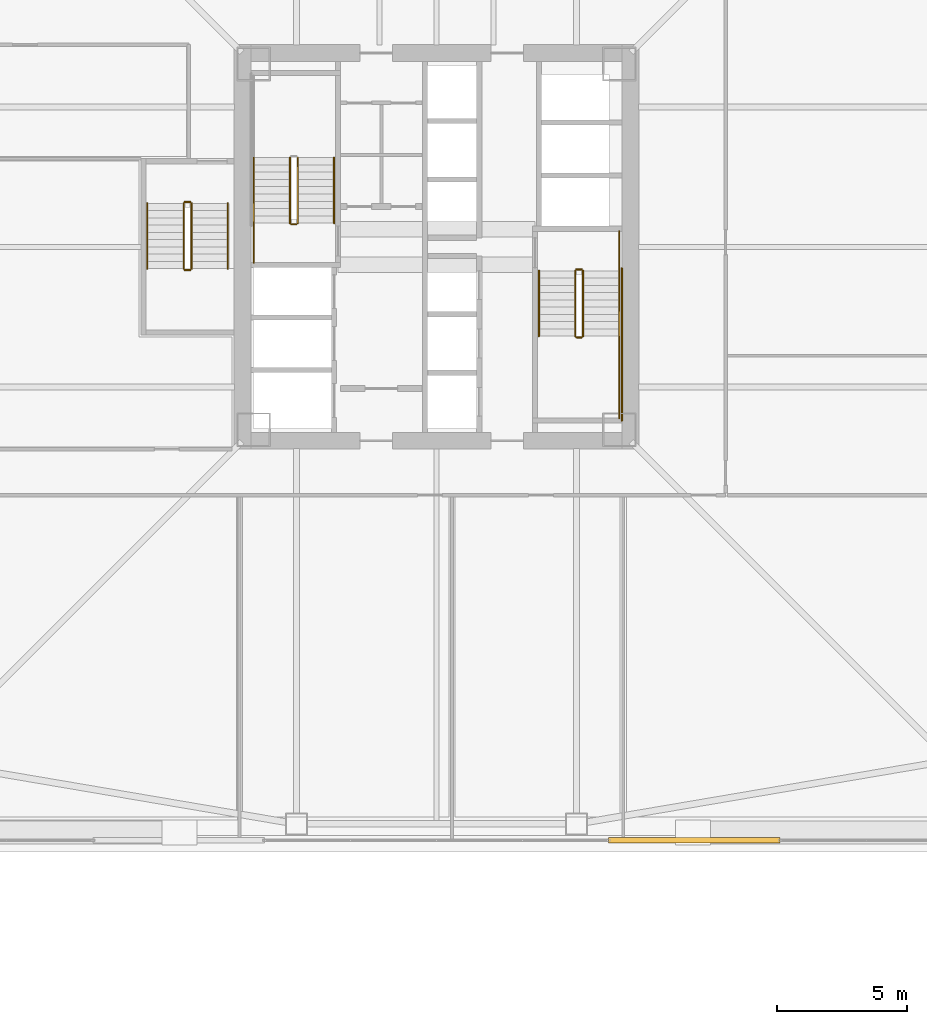
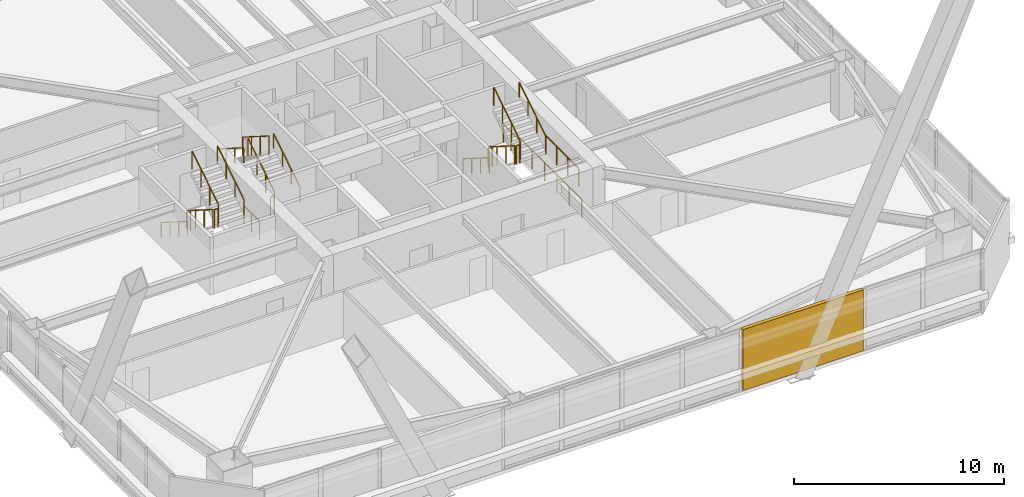
# One storey, part 68 of 75: 21 railings, 1 covering.
"""IFC4 building model written with IfcOpenShell, lengths in metres."""

from ifc_helpers import new_model, si_unit, direction, frame, origin, origin_2d, place, context, subcontext, project, spatial, rectangle, extrude, material, layer, layer_set, type_object, element, save


model = new_model("IFC4")

# Units and contexts
model_context = context("Model", 3, precision=1e-05, world=origin(), true_north=direction((0.0, 1.0)))
body_context = subcontext(model_context, "Body", "Model", "MODEL_VIEW")
ifc_project = project(units=[si_unit("LENGTHUNIT", "METRE"), si_unit("AREAUNIT", "SQUARE_METRE"), si_unit("VOLUMEUNIT", "CUBIC_METRE"), si_unit("PLANEANGLEUNIT", "RADIAN"), si_unit("MASSUNIT", "GRAM", prefix="KILO")], contexts=[model_context])

# Site, building, storey
site_placement = place(None, origin())
site = spatial("IfcSite", under=ifc_project, at=site_placement, CompositionType="ELEMENT")
building_placement = place(site_placement, origin())
building = spatial("IfcBuilding", under=site, at=building_placement, Name="Tashvorn Skyway Center", CompositionType="ELEMENT")
storey_placement = place(building_placement, frame((0.0, 0.0, 45.89990234375)))
storey = spatial("IfcBuildingStorey", under=building, at=storey_placement, Name="L11", CompositionType="ELEMENT", Elevation=45.89990234375)

# Covering
ifc_material_1 = material(Name="Precast concrete C40/50", Category="concrete")
ifc_layer = layer(ifc_material_1, 0.199951171875)
ifc_layer_set = layer_set([ifc_layer], Name="Precast concrete C40/50")
covering_type = type_object("IfcCoveringType", Name="COV-BRACE-CLAD", PredefinedType="CLADDING", material=ifc_layer_set)
covering_placement = place(storey_placement, frame((51.93994140625, 9.1201171875, 0.0), z_axis=(0.0, 0.0, 1.0), x_axis=(-1.0, 0.0, 0.0)))
element("IfcCovering", 1, at=covering_placement, inside=storey, type_object=covering_type, Name="Tower 1 L11 South Unitised Curtain Wall Mega-Brace Cladding Band 1", PredefinedType="CLADDING", context=body_context, shape_type="SweptSolid", body=[
    extrude(rectangle(XDim=6.626708984375, YDim=0.199951171875, at=origin_2d()), origin(), (0.0, 0.0, 1.0), 3.550048828125),
])

# Railings
ifc_material_2 = material(Name="Brushed stainless steel 316", Category="steel")
railing_type_1 = type_object("IfcRailingType", Name="RAIL-HAND-920", PredefinedType="HANDRAIL", material=ifc_material_2)
railing_1_placement = place(storey_placement, frame((38.050048828125, 32.919921875, 0.177490234375)))
element("IfcRailing", 2, at=railing_1_placement, inside=storey, type_object=railing_type_1, Name="L11 ST-T1-1 stair handrail 1", PredefinedType="HANDRAIL", context=body_context, shape_type="SweptSolid", body=[
    extrude(rectangle(XDim=0.048095703125, YDim=0.048095703125, at=origin_2d()), frame((0.0, 0.0, 0.8759765625), z_axis=(0.0, 0.84456994832, 0.535445237532), x_axis=(-1.0, 0.0, 0.0)), (0.0, 0.0, 1.0), 2.98388671875),
    extrude(rectangle(XDim=0.0419921875, YDim=0.0419921875, at=origin_2d()), origin(), (0.0, 0.0, 1.0), 0.851806640625),
    extrude(rectangle(XDim=0.0419921875, YDim=0.0419921875, at=origin_2d()), frame((0.0, 0.840087890625, 0.532470703125)), (0.0, 0.0, 1.0), 0.851806640625),
    extrude(rectangle(XDim=0.0419921875, YDim=0.0419921875, at=origin_2d()), frame((0.0, 1.679931640625, 1.065185546875)), (0.0, 0.0, 1.0), 0.851806640625),
    extrude(rectangle(XDim=0.0419921875, YDim=0.0419921875, at=origin_2d()), frame((0.0, 2.52001953125, 1.59765625)), (0.0, 0.0, 1.0), 0.851806640625),
])
railing_2_placement = place(storey_placement, frame((34.949951171875, 35.43994140625, 1.95263671875)))
element("IfcRailing", 3, at=railing_2_placement, inside=storey, type_object=railing_type_1, Name="L11 ST-T1-1 stair handrail 2", PredefinedType="HANDRAIL", context=body_context, shape_type="SweptSolid", body=[
    extrude(rectangle(XDim=0.048095703125, YDim=0.048095703125, at=origin_2d()), frame((0.0, 0.0, 0.8759765625), z_axis=(0.0, -0.84460694969, 0.535386869969), x_axis=(1.0, 0.0, 0.0)), (0.0, 0.0, 1.0), 2.983642578125),
    extrude(rectangle(XDim=0.0419921875, YDim=0.0419921875, at=origin_2d()), origin(), (0.0, 0.0, 1.0), 0.851806640625),
    extrude(rectangle(XDim=0.0419921875, YDim=0.0419921875, at=origin_2d()), frame((0.0, -0.840087890625, 0.532470703125)), (0.0, 0.0, 1.0), 0.851806640625),
    extrude(rectangle(XDim=0.0419921875, YDim=0.0419921875, at=origin_2d()), frame((0.0, -1.679931640625, 1.06494140625)), (0.0, 0.0, 1.0), 0.851806640625),
    extrude(rectangle(XDim=0.0419921875, YDim=0.0419921875, at=origin_2d()), frame((0.0, -2.52001953125, 1.597412109375)), (0.0, 0.0, 1.0), 0.851806640625),
])
railing_3_placement = place(storey_placement, frame((45.949951171875, 31.080078125, 0.177490234375)))
element("IfcRailing", 4, at=railing_3_placement, inside=storey, type_object=railing_type_1, Name="L11 ST-T1-2 stair handrail 1", PredefinedType="HANDRAIL", context=body_context, shape_type="SweptSolid", body=[
    extrude(rectangle(XDim=0.048095703125, YDim=0.048095703125, at=origin_2d()), frame((0.0, 0.0, 0.8759765625), z_axis=(0.0, -0.84456994832, 0.535445237532), x_axis=(1.0, 0.0, 0.0)), (0.0, 0.0, 1.0), 2.98388671875),
    extrude(rectangle(XDim=0.0419921875, YDim=0.0419921875, at=origin_2d()), origin(), (0.0, 0.0, 1.0), 0.851806640625),
    extrude(rectangle(XDim=0.0419921875, YDim=0.0419921875, at=origin_2d()), frame((0.0, -0.840087890625, 0.532470703125)), (0.0, 0.0, 1.0), 0.851806640625),
    extrude(rectangle(XDim=0.0419921875, YDim=0.0419921875, at=origin_2d()), frame((0.0, -1.679931640625, 1.065185546875)), (0.0, 0.0, 1.0), 0.851806640625),
    extrude(rectangle(XDim=0.0419921875, YDim=0.0419921875, at=origin_2d()), frame((0.0, -2.52001953125, 1.59765625)), (0.0, 0.0, 1.0), 0.851806640625),
])
railing_4_placement = place(storey_placement, frame((49.050048828125, 28.56005859375, 1.95263671875)))
element("IfcRailing", 5, at=railing_4_placement, inside=storey, type_object=railing_type_1, Name="L11 ST-T1-2 stair handrail 2", PredefinedType="HANDRAIL", context=body_context, shape_type="SweptSolid", body=[
    extrude(rectangle(XDim=0.048095703125, YDim=0.048095703125, at=origin_2d()), frame((0.0, 0.0, 0.8759765625), z_axis=(0.0, 0.84460694969, 0.535386869969), x_axis=(-1.0, 0.0, 0.0)), (0.0, 0.0, 1.0), 2.983642578125),
    extrude(rectangle(XDim=0.0419921875, YDim=0.0419921875, at=origin_2d()), origin(), (0.0, 0.0, 1.0), 0.851806640625),
    extrude(rectangle(XDim=0.0419921875, YDim=0.0419921875, at=origin_2d()), frame((0.0, 0.840087890625, 0.532470703125)), (0.0, 0.0, 1.0), 0.851806640625),
    extrude(rectangle(XDim=0.0419921875, YDim=0.0419921875, at=origin_2d()), frame((0.0, 1.679931640625, 1.06494140625)), (0.0, 0.0, 1.0), 0.851806640625),
    extrude(rectangle(XDim=0.0419921875, YDim=0.0419921875, at=origin_2d()), frame((0.0, 2.52001953125, 1.597412109375)), (0.0, 0.0, 1.0), 0.851806640625),
])
railing_5_placement = place(storey_placement, frame((30.85009765625, 33.679931640625, 0.177490234375)))
element("IfcRailing", 6, at=railing_5_placement, inside=storey, type_object=railing_type_1, Name="L11 ST-T1-3 stair handrail 1", PredefinedType="HANDRAIL", context=body_context, shape_type="SweptSolid", body=[
    extrude(rectangle(XDim=0.048095703125, YDim=0.048095703125, at=origin_2d()), frame((0.0, 0.0, 0.8759765625), z_axis=(0.0, -0.84456994832, 0.535445237532), x_axis=(1.0, 0.0, 0.0)), (0.0, 0.0, 1.0), 2.98388671875),
    extrude(rectangle(XDim=0.0419921875, YDim=0.0419921875, at=origin_2d()), origin(), (0.0, 0.0, 1.0), 0.851806640625),
    extrude(rectangle(XDim=0.0419921875, YDim=0.0419921875, at=origin_2d()), frame((0.0, -0.840087890625, 0.532470703125)), (0.0, 0.0, 1.0), 0.851806640625),
    extrude(rectangle(XDim=0.0419921875, YDim=0.0419921875, at=origin_2d()), frame((0.0, -1.679931640625, 1.065185546875)), (0.0, 0.0, 1.0), 0.851806640625),
    extrude(rectangle(XDim=0.0419921875, YDim=0.0419921875, at=origin_2d()), frame((0.0, -2.52001953125, 1.59765625)), (0.0, 0.0, 1.0), 0.851806640625),
])
railing_6_placement = place(storey_placement, frame((33.949951171875, 31.159912109375, 1.95263671875)))
element("IfcRailing", 7, at=railing_6_placement, inside=storey, type_object=railing_type_1, Name="L11 ST-T1-3 stair handrail 2", PredefinedType="HANDRAIL", context=body_context, shape_type="SweptSolid", body=[
    extrude(rectangle(XDim=0.048095703125, YDim=0.048095703125, at=origin_2d()), frame((0.0, 0.0, 0.8759765625), z_axis=(0.0, 0.84460694969, 0.535386869969), x_axis=(-1.0, 0.0, 0.0)), (0.0, 0.0, 1.0), 2.983642578125),
    extrude(rectangle(XDim=0.0419921875, YDim=0.0419921875, at=origin_2d()), origin(), (0.0, 0.0, 1.0), 0.851806640625),
    extrude(rectangle(XDim=0.0419921875, YDim=0.0419921875, at=origin_2d()), frame((0.0, 0.840087890625, 0.532470703125)), (0.0, 0.0, 1.0), 0.851806640625),
    extrude(rectangle(XDim=0.0419921875, YDim=0.0419921875, at=origin_2d()), frame((0.0, 1.679931640625, 1.06494140625)), (0.0, 0.0, 1.0), 0.851806640625),
    extrude(rectangle(XDim=0.0419921875, YDim=0.0419921875, at=origin_2d()), frame((0.0, 2.52001953125, 1.597412109375)), (0.0, 0.0, 1.0), 0.851806640625),
])
ifc_material_3 = material(Name="Painted galvanized steel S355", Category="steel")
railing_type_2 = type_object("IfcRailingType", Name="RAIL-STGUARD-1100", PredefinedType="GUARDRAIL", material=ifc_material_3)
railing_7_placement = place(storey_placement, frame((36.64990234375, 32.919921875, 0.177490234375)))
element("IfcRailing", 8, at=railing_7_placement, inside=storey, type_object=railing_type_2, Name="L11 ST-T1-1 stair guard 1", PredefinedType="GUARDRAIL", context=body_context, shape_type="SweptSolid", body=[
    extrude(rectangle(XDim=0.048095703125, YDim=0.048095703125, at=origin_2d()), frame((0.0, 0.0, 1.076171875), z_axis=(0.0, 0.84456994832, 0.535445237532), x_axis=(-1.0, 0.0, 0.0)), (0.0, 0.0, 1.0), 2.98388671875),
    extrude(rectangle(XDim=0.0419921875, YDim=0.0419921875, at=origin_2d()), origin(), (0.0, 0.0, 1.0), 1.052001953125),
    extrude(rectangle(XDim=0.0419921875, YDim=0.0419921875, at=origin_2d()), frame((0.0, 0.840087890625, 0.532470703125)), (0.0, 0.0, 1.0), 1.052001953125),
    extrude(rectangle(XDim=0.0419921875, YDim=0.0419921875, at=origin_2d()), frame((0.0, 1.679931640625, 1.065185546875)), (0.0, 0.0, 1.0), 1.052001953125),
    extrude(rectangle(XDim=0.0419921875, YDim=0.0419921875, at=origin_2d()), frame((0.0, 2.52001953125, 1.59765625)), (0.0, 0.0, 1.0), 1.052001953125),
])
railing_8_placement = place(storey_placement, frame((36.35009765625, 35.43994140625, 1.95263671875)))
element("IfcRailing", 9, at=railing_8_placement, inside=storey, type_object=railing_type_2, Name="L11 ST-T1-1 stair guard 4", PredefinedType="GUARDRAIL", context=body_context, shape_type="SweptSolid", body=[
    extrude(rectangle(XDim=0.048095703125, YDim=0.048095703125, at=origin_2d()), frame((0.0, 0.0, 1.076171875), z_axis=(0.0, -0.84460694969, 0.535386869969), x_axis=(1.0, 0.0, 0.0)), (0.0, 0.0, 1.0), 2.983642578125),
    extrude(rectangle(XDim=0.0419921875, YDim=0.0419921875, at=origin_2d()), origin(), (0.0, 0.0, 1.0), 1.052001953125),
    extrude(rectangle(XDim=0.0419921875, YDim=0.0419921875, at=origin_2d()), frame((0.0, -0.840087890625, 0.532470703125)), (0.0, 0.0, 1.0), 1.052001953125),
    extrude(rectangle(XDim=0.0419921875, YDim=0.0419921875, at=origin_2d()), frame((0.0, -1.679931640625, 1.06494140625)), (0.0, 0.0, 1.0), 1.052001953125),
    extrude(rectangle(XDim=0.0419921875, YDim=0.0419921875, at=origin_2d()), frame((0.0, -2.52001953125, 1.597412109375)), (0.0, 0.0, 1.0), 1.052001953125),
])
railing_9_placement = place(storey_placement, frame((36.60009765625, 32.8701171875, 0.0)))
element("IfcRailing", 10, at=railing_9_placement, inside=storey, type_object=railing_type_2, Name="L11 ST-T1-1 stair guard 5", PredefinedType="GUARDRAIL", context=body_context, shape_type="SweptSolid", body=[
    extrude(rectangle(XDim=0.048095703125, YDim=0.048095703125, at=origin_2d()), frame((0.0, 0.0, 1.076171875), z_axis=(-1.0, 0.0, 0.0), x_axis=(0.0, -1.0, 0.0)), (0.0, 0.0, 1.0), 0.2001953125),
    extrude(rectangle(XDim=0.0419921875, YDim=0.0419921875, at=origin_2d()), origin(), (0.0, 0.0, 1.0), 1.052001953125),
    extrude(rectangle(XDim=0.0419921875, YDim=0.0419921875, at=origin_2d()), frame((-0.2001953125, 0.0, 0.0)), (0.0, 0.0, 1.0), 1.052001953125),
])
railing_10_placement = place(storey_placement, frame((34.949951171875, 31.39990234375, 0.0)))
element("IfcRailing", 11, at=railing_10_placement, inside=storey, type_object=railing_type_2, Name="L11 ST-T1-1 stair guard 6", PredefinedType="GUARDRAIL", context=body_context, shape_type="SweptSolid", body=[
    extrude(rectangle(XDim=0.048095703125, YDim=0.048095703125, at=origin_2d()), frame((0.0, 0.0, 1.076171875), z_axis=(0.0, 1.0, 0.0), x_axis=(-1.0, 0.0, 0.0)), (0.0, 0.0, 1.0), 1.52001953125),
    extrude(rectangle(XDim=0.0419921875, YDim=0.0419921875, at=origin_2d()), origin(), (0.0, 0.0, 1.0), 1.052001953125),
    extrude(rectangle(XDim=0.0419921875, YDim=0.0419921875, at=origin_2d()), frame((0.0, 0.760009765625, 0.0)), (0.0, 0.0, 1.0), 1.052001953125),
    extrude(rectangle(XDim=0.0419921875, YDim=0.0419921875, at=origin_2d()), frame((0.0, 1.52001953125, 0.0)), (0.0, 0.0, 1.0), 1.052001953125),
])
railing_11_placement = place(storey_placement, frame((47.35009765625, 31.080078125, 0.177490234375)))
element("IfcRailing", 12, at=railing_11_placement, inside=storey, type_object=railing_type_2, Name="L11 ST-T1-2 stair guard 1", PredefinedType="GUARDRAIL", context=body_context, shape_type="SweptSolid", body=[
    extrude(rectangle(XDim=0.048095703125, YDim=0.048095703125, at=origin_2d()), frame((0.0, 0.0, 1.076171875), z_axis=(0.0, -0.84456994832, 0.535445237532), x_axis=(1.0, 0.0, 0.0)), (0.0, 0.0, 1.0), 2.98388671875),
    extrude(rectangle(XDim=0.0419921875, YDim=0.0419921875, at=origin_2d()), origin(), (0.0, 0.0, 1.0), 1.052001953125),
    extrude(rectangle(XDim=0.0419921875, YDim=0.0419921875, at=origin_2d()), frame((0.0, -0.840087890625, 0.532470703125)), (0.0, 0.0, 1.0), 1.052001953125),
    extrude(rectangle(XDim=0.0419921875, YDim=0.0419921875, at=origin_2d()), frame((0.0, -1.679931640625, 1.065185546875)), (0.0, 0.0, 1.0), 1.052001953125),
    extrude(rectangle(XDim=0.0419921875, YDim=0.0419921875, at=origin_2d()), frame((0.0, -2.52001953125, 1.59765625)), (0.0, 0.0, 1.0), 1.052001953125),
])
railing_12_placement = place(storey_placement, frame((47.39990234375, 28.510009765625, 1.775146484375)))
element("IfcRailing", 13, at=railing_12_placement, inside=storey, type_object=railing_type_2, Name="L11 ST-T1-2 stair guard 2", PredefinedType="GUARDRAIL", context=body_context, shape_type="SweptSolid", body=[
    extrude(rectangle(XDim=0.048095703125, YDim=0.048095703125, at=origin_2d()), frame((0.0, 0.0, 1.076171875), z_axis=(1.0, 0.0, 0.0), x_axis=(0.0, 1.0, 0.0)), (0.0, 0.0, 1.0), 0.2001953125),
    extrude(rectangle(XDim=0.0419921875, YDim=0.0419921875, at=origin_2d()), origin(), (0.0, 0.0, 1.0), 1.052001953125),
    extrude(rectangle(XDim=0.0419921875, YDim=0.0419921875, at=origin_2d()), frame((0.2001953125, 0.0, 0.0)), (0.0, 0.0, 1.0), 1.052001953125),
])
railing_13_placement = place(storey_placement, frame((49.050048828125, 28.56005859375, 1.775146484375)))
element("IfcRailing", 14, at=railing_13_placement, inside=storey, type_object=railing_type_2, Name="L11 ST-T1-2 stair guard 3", PredefinedType="GUARDRAIL", context=body_context, shape_type="SweptSolid", body=[
    extrude(rectangle(XDim=0.048095703125, YDim=0.048095703125, at=origin_2d()), frame((0.0, 0.0, 1.076171875), z_axis=(0.0, -1.0, 0.0), x_axis=(1.0, 0.0, 0.0)), (0.0, 0.0, 1.0), 3.16015625),
    extrude(rectangle(XDim=0.0419921875, YDim=0.0419921875, at=origin_2d()), origin(), (0.0, 0.0, 1.0), 1.052001953125),
    extrude(rectangle(XDim=0.0419921875, YDim=0.0419921875, at=origin_2d()), frame((0.0, -1.053466796875, 0.0)), (0.0, 0.0, 1.0), 1.052001953125),
    extrude(rectangle(XDim=0.0419921875, YDim=0.0419921875, at=origin_2d()), frame((0.0, -2.106689453125, 0.0)), (0.0, 0.0, 1.0), 1.052001953125),
    extrude(rectangle(XDim=0.0419921875, YDim=0.0419921875, at=origin_2d()), frame((0.0, -3.16015625, 0.0)), (0.0, 0.0, 1.0), 1.052001953125),
])
railing_14_placement = place(storey_placement, frame((47.64990234375, 28.56005859375, 1.95263671875)))
element("IfcRailing", 15, at=railing_14_placement, inside=storey, type_object=railing_type_2, Name="L11 ST-T1-2 stair guard 4", PredefinedType="GUARDRAIL", context=body_context, shape_type="SweptSolid", body=[
    extrude(rectangle(XDim=0.048095703125, YDim=0.048095703125, at=origin_2d()), frame((0.0, 0.0, 1.076171875), z_axis=(0.0, 0.84460694969, 0.535386869969), x_axis=(-1.0, 0.0, 0.0)), (0.0, 0.0, 1.0), 2.983642578125),
    extrude(rectangle(XDim=0.0419921875, YDim=0.0419921875, at=origin_2d()), origin(), (0.0, 0.0, 1.0), 1.052001953125),
    extrude(rectangle(XDim=0.0419921875, YDim=0.0419921875, at=origin_2d()), frame((0.0, 0.840087890625, 0.532470703125)), (0.0, 0.0, 1.0), 1.052001953125),
    extrude(rectangle(XDim=0.0419921875, YDim=0.0419921875, at=origin_2d()), frame((0.0, 1.679931640625, 1.06494140625)), (0.0, 0.0, 1.0), 1.052001953125),
    extrude(rectangle(XDim=0.0419921875, YDim=0.0419921875, at=origin_2d()), frame((0.0, 2.52001953125, 1.597412109375)), (0.0, 0.0, 1.0), 1.052001953125),
])
railing_15_placement = place(storey_placement, frame((47.39990234375, 31.1298828125, 0.0)))
element("IfcRailing", 16, at=railing_15_placement, inside=storey, type_object=railing_type_2, Name="L11 ST-T1-2 stair guard 5", PredefinedType="GUARDRAIL", context=body_context, shape_type="SweptSolid", body=[
    extrude(rectangle(XDim=0.048095703125, YDim=0.048095703125, at=origin_2d()), frame((0.0, 0.0, 1.076171875), z_axis=(1.0, 0.0, 0.0), x_axis=(0.0, 1.0, 0.0)), (0.0, 0.0, 1.0), 0.2001953125),
    extrude(rectangle(XDim=0.0419921875, YDim=0.0419921875, at=origin_2d()), origin(), (0.0, 0.0, 1.0), 1.052001953125),
    extrude(rectangle(XDim=0.0419921875, YDim=0.0419921875, at=origin_2d()), frame((0.2001953125, 0.0, 0.0)), (0.0, 0.0, 1.0), 1.052001953125),
])
railing_16_placement = place(storey_placement, frame((49.050048828125, 32.60009765625, 0.0)))
element("IfcRailing", 17, at=railing_16_placement, inside=storey, type_object=railing_type_2, Name="L11 ST-T1-2 stair guard 6", PredefinedType="GUARDRAIL", context=body_context, shape_type="SweptSolid", body=[
    extrude(rectangle(XDim=0.048095703125, YDim=0.048095703125, at=origin_2d()), frame((0.0, 0.0, 1.076171875), z_axis=(0.0, -1.0, 0.0), x_axis=(1.0, 0.0, 0.0)), (0.0, 0.0, 1.0), 1.52001953125),
    extrude(rectangle(XDim=0.0419921875, YDim=0.0419921875, at=origin_2d()), origin(), (0.0, 0.0, 1.0), 1.052001953125),
    extrude(rectangle(XDim=0.0419921875, YDim=0.0419921875, at=origin_2d()), frame((0.0, -0.760009765625, 0.0)), (0.0, 0.0, 1.0), 1.052001953125),
    extrude(rectangle(XDim=0.0419921875, YDim=0.0419921875, at=origin_2d()), frame((0.0, -1.52001953125, 0.0)), (0.0, 0.0, 1.0), 1.052001953125),
])
railing_17_placement = place(storey_placement, frame((49.14990234375, 31.179931640625, 0.0)))
element("IfcRailing", 18, at=railing_17_placement, inside=storey, type_object=railing_type_2, Name="L11 ST-T1-2 stair guard 7", PredefinedType="GUARDRAIL", context=body_context, shape_type="SweptSolid", body=[
    extrude(rectangle(XDim=0.048095703125, YDim=0.048095703125, at=origin_2d()), frame((0.0, 0.0, 1.076171875), z_axis=(0.0, -1.0, 0.0), x_axis=(1.0, 0.0, 0.0)), (0.0, 0.0, 1.0), 5.8798828125),
    extrude(rectangle(XDim=0.0419921875, YDim=0.0419921875, at=origin_2d()), origin(), (0.0, 0.0, 1.0), 1.052001953125),
    extrude(rectangle(XDim=0.0419921875, YDim=0.0419921875, at=origin_2d()), frame((0.0, -1.176025390625, 0.0)), (0.0, 0.0, 1.0), 1.052001953125),
    extrude(rectangle(XDim=0.0419921875, YDim=0.0419921875, at=origin_2d()), frame((0.0, -2.35205078125, 0.0)), (0.0, 0.0, 1.0), 1.052001953125),
    extrude(rectangle(XDim=0.0419921875, YDim=0.0419921875, at=origin_2d()), frame((0.0, -3.52783203125, 0.0)), (0.0, 0.0, 1.0), 1.052001953125),
    extrude(rectangle(XDim=0.0419921875, YDim=0.0419921875, at=origin_2d()), frame((0.0, -4.703857421875, 0.0)), (0.0, 0.0, 1.0), 1.052001953125),
    extrude(rectangle(XDim=0.0419921875, YDim=0.0419921875, at=origin_2d()), frame((0.0, -5.8798828125, 0.0)), (0.0, 0.0, 1.0), 1.052001953125),
])
railing_18_placement = place(storey_placement, frame((32.25, 33.679931640625, 0.177490234375)))
element("IfcRailing", 19, at=railing_18_placement, inside=storey, type_object=railing_type_2, Name="L11 ST-T1-3 stair guard 1", PredefinedType="GUARDRAIL", context=body_context, shape_type="SweptSolid", body=[
    extrude(rectangle(XDim=0.048095703125, YDim=0.048095703125, at=origin_2d()), frame((0.0, 0.0, 1.076171875), z_axis=(0.0, -0.84456994832, 0.535445237532), x_axis=(1.0, 0.0, 0.0)), (0.0, 0.0, 1.0), 2.98388671875),
    extrude(rectangle(XDim=0.0419921875, YDim=0.0419921875, at=origin_2d()), origin(), (0.0, 0.0, 1.0), 1.052001953125),
    extrude(rectangle(XDim=0.0419921875, YDim=0.0419921875, at=origin_2d()), frame((0.0, -0.840087890625, 0.532470703125)), (0.0, 0.0, 1.0), 1.052001953125),
    extrude(rectangle(XDim=0.0419921875, YDim=0.0419921875, at=origin_2d()), frame((0.0, -1.679931640625, 1.065185546875)), (0.0, 0.0, 1.0), 1.052001953125),
    extrude(rectangle(XDim=0.0419921875, YDim=0.0419921875, at=origin_2d()), frame((0.0, -2.52001953125, 1.59765625)), (0.0, 0.0, 1.0), 1.052001953125),
])
railing_19_placement = place(storey_placement, frame((32.300048828125, 31.110107421875, 1.775146484375)))
element("IfcRailing", 20, at=railing_19_placement, inside=storey, type_object=railing_type_2, Name="L11 ST-T1-3 stair guard 2", PredefinedType="GUARDRAIL", context=body_context, shape_type="SweptSolid", body=[
    extrude(rectangle(XDim=0.048095703125, YDim=0.048095703125, at=origin_2d()), frame((0.0, 0.0, 1.076171875), z_axis=(1.0, 0.0, 0.0), x_axis=(0.0, 1.0, 0.0)), (0.0, 0.0, 1.0), 0.199951171875),
    extrude(rectangle(XDim=0.0419921875, YDim=0.0419921875, at=origin_2d()), origin(), (0.0, 0.0, 1.0), 1.052001953125),
    extrude(rectangle(XDim=0.0419921875, YDim=0.0419921875, at=origin_2d()), frame((0.199951171875, 0.0, 0.0)), (0.0, 0.0, 1.0), 1.052001953125),
])
railing_20_placement = place(storey_placement, frame((32.550048828125, 31.159912109375, 1.95263671875)))
element("IfcRailing", 21, at=railing_20_placement, inside=storey, type_object=railing_type_2, Name="L11 ST-T1-3 stair guard 3", PredefinedType="GUARDRAIL", context=body_context, shape_type="SweptSolid", body=[
    extrude(rectangle(XDim=0.048095703125, YDim=0.048095703125, at=origin_2d()), frame((0.0, 0.0, 1.076171875), z_axis=(0.0, 0.84460694969, 0.535386869969), x_axis=(-1.0, 0.0, 0.0)), (0.0, 0.0, 1.0), 2.983642578125),
    extrude(rectangle(XDim=0.0419921875, YDim=0.0419921875, at=origin_2d()), origin(), (0.0, 0.0, 1.0), 1.052001953125),
    extrude(rectangle(XDim=0.0419921875, YDim=0.0419921875, at=origin_2d()), frame((0.0, 0.840087890625, 0.532470703125)), (0.0, 0.0, 1.0), 1.052001953125),
    extrude(rectangle(XDim=0.0419921875, YDim=0.0419921875, at=origin_2d()), frame((0.0, 1.679931640625, 1.06494140625)), (0.0, 0.0, 1.0), 1.052001953125),
    extrude(rectangle(XDim=0.0419921875, YDim=0.0419921875, at=origin_2d()), frame((0.0, 2.52001953125, 1.597412109375)), (0.0, 0.0, 1.0), 1.052001953125),
])
railing_21_placement = place(storey_placement, frame((32.300048828125, 33.72998046875, 0.0)))
element("IfcRailing", 22, at=railing_21_placement, inside=storey, type_object=railing_type_2, Name="L11 ST-T1-3 stair guard 4", PredefinedType="GUARDRAIL", context=body_context, shape_type="SweptSolid", body=[
    extrude(rectangle(XDim=0.048095703125, YDim=0.048095703125, at=origin_2d()), frame((0.0, 0.0, 1.076171875), z_axis=(1.0, 0.0, 0.0), x_axis=(0.0, 1.0, 0.0)), (0.0, 0.0, 1.0), 0.199951171875),
    extrude(rectangle(XDim=0.0419921875, YDim=0.0419921875, at=origin_2d()), origin(), (0.0, 0.0, 1.0), 1.052001953125),
    extrude(rectangle(XDim=0.0419921875, YDim=0.0419921875, at=origin_2d()), frame((0.199951171875, 0.0, 0.0)), (0.0, 0.0, 1.0), 1.052001953125),
])

save(model, "model.ifc")
